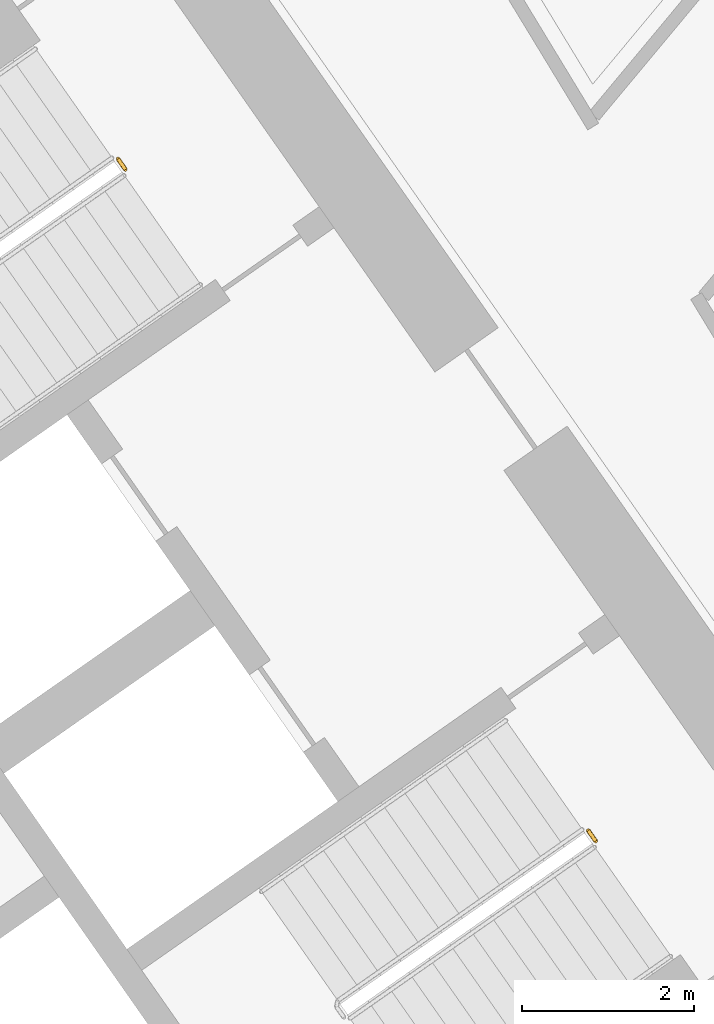
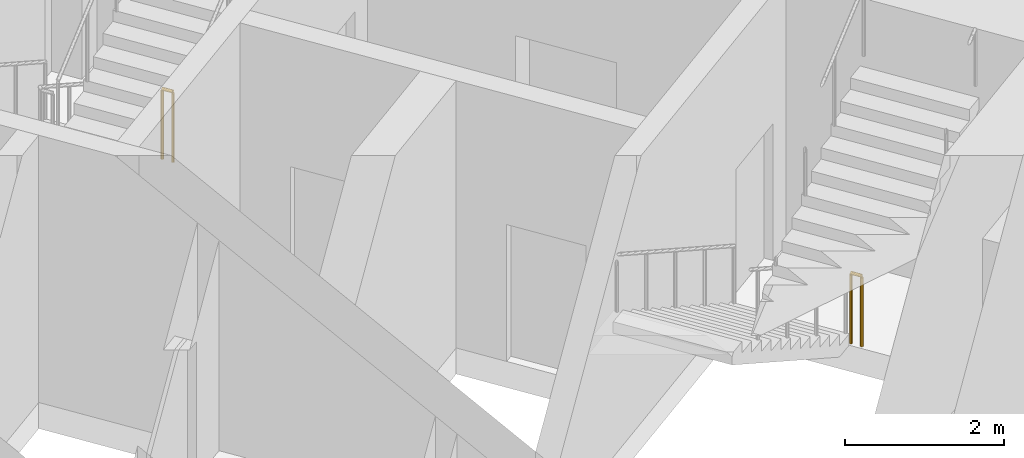
# One storey, part 19 of 20: 2 railings.
"""IFC4 building model written with IfcOpenShell, lengths in metres."""

import ifcopenshell
import ifcopenshell.guid

model = None  # the IFC model being written
_history = None  # IfcOwnerHistory: only IFC2X3 demands one
_inside = {}  # id of a spatial element -> (the spatial element, [elements in it])
_under = {}  # id of a project, library or spatial element -> (it, [spatial elements below it])
_declared = {}  # id of a project -> (the project, [libraries it declares])
_typed = {}  # id of a type object -> (the type object, [elements of that type])
_made_of = {}  # id of a material, layer set ... -> (it, [elements and type objects made of it])


def new_model(schema):
    """Start an empty IFC model of exactly this schema.

    Asked for "IFC4X3", IfcOpenShell would pick the latest addendum, in which some entities
    have other attributes; the version numbers below select the first issue.
    IFC2X3 requires an IfcOwnerHistory on every rooted entity: one is made here for all.
    """
    global model, _history
    if schema == "IFC4X3":
        model = ifcopenshell.file(schema_version=(4, 3, 0, 0))
    else:
        model = ifcopenshell.file(schema=schema)
    _inside.clear()
    _under.clear()
    _declared.clear()
    _typed.clear()
    _made_of.clear()
    _history = None
    if model.schema == "IFC2X3":
        org = make("IfcOrganization", Name="unknown")
        user = make(
            "IfcPersonAndOrganization",
            ThePerson=make("IfcPerson", FamilyName="unknown"),
            TheOrganization=org,
        )
        app = make(
            "IfcApplication",
            ApplicationDeveloper=org,
            Version="unknown",
            ApplicationFullName="unknown",
            ApplicationIdentifier="unknown",
        )
        _history = make(
            "IfcOwnerHistory",
            OwningUser=user,
            OwningApplication=app,
            ChangeAction="ADDED",
            CreationDate=0,
        )
    return model


def make(cls, **values):
    """One entity of the class cls with the attributes given. An attribute that is None is left unset."""
    return model.create_entity(
        cls, **{name: value for name, value in values.items() if value is not None}
    )


def rooted(cls, **values):
    """An entity with a GlobalId (a new one), such as an element, a storey or a relation."""
    return make(cls, GlobalId=ifcopenshell.guid.new(), OwnerHistory=_history, **values)


def si_unit(unit_type, name, prefix=None):
    """IfcSIUnit, for example si_unit("LENGTHUNIT", "METRE", prefix="MILLI")."""
    return make("IfcSIUnit", UnitType=unit_type, Prefix=prefix, Name=name)


def assignment(units):
    """IfcUnitAssignment: the units of a project."""
    return None if units is None else make("IfcUnitAssignment", Units=units)


def point(xyz):
    """IfcCartesianPoint."""
    return None if xyz is None else make("IfcCartesianPoint", Coordinates=xyz)


def direction(xyz):
    """IfcDirection."""
    return None if xyz is None else make("IfcDirection", DirectionRatios=xyz)


def frame(location, z_axis=None, x_axis=None):
    """IfcAxis2Placement3D, a coordinate frame: its origin and axes. An axis left out is left unset."""
    return make(
        "IfcAxis2Placement3D",
        Location=point(location),
        Axis=direction(z_axis),
        RefDirection=direction(x_axis),
    )


def frame_2d(location, x_axis=None):
    """IfcAxis2Placement2D, a coordinate frame in the plane: its origin and x axis."""
    return make(
        "IfcAxis2Placement2D", Location=point(location), RefDirection=direction(x_axis)
    )


def origin():
    """The frame at (0, 0, 0) with its axes left unset."""
    return frame((0.0, 0.0, 0.0))


def origin_2d():
    """The frame at (0, 0) in the plane with its x axis left unset."""
    return frame_2d((0.0, 0.0))


def place(relative_to, where):
    """IfcLocalPlacement: puts the frame where relative to a parent placement (None: the world)."""
    return make(
        "IfcLocalPlacement", PlacementRelTo=relative_to, RelativePlacement=where
    )


def context(
    kind, dimensions, precision=None, world=None, true_north=None, identifier=None
):
    """IfcGeometricRepresentationContext, for example the 3D "Model" context."""
    return make(
        "IfcGeometricRepresentationContext",
        ContextIdentifier=identifier,
        ContextType=kind,
        CoordinateSpaceDimension=dimensions,
        Precision=precision,
        WorldCoordinateSystem=world,
        TrueNorth=true_north,
    )


def subcontext(parent, identifier, kind, view, scale=None):
    """IfcGeometricRepresentationSubContext, for example "Body" below "Model"."""
    return make(
        "IfcGeometricRepresentationSubContext",
        ContextIdentifier=identifier,
        ContextType=kind,
        ParentContext=parent,
        TargetScale=scale,
        TargetView=view,
    )


def project(units=None, contexts=None):
    """IfcProject with its units and contexts."""
    return rooted(
        "IfcProject",
        Name="project",
        RepresentationContexts=contexts,
        UnitsInContext=assignment(units),
    )


def spatial(cls, under=None, at=None, **own):
    """A site, building, storey or space (cls), placed at a placement, below another one or the project."""
    s = rooted(cls, ObjectPlacement=at, **own)
    if under is not None:
        _under.setdefault(under.id(), (under, []))[1].append(s)
    return s


def profile(cls, at=None, kind="AREA", **sizes):
    """A parametric profile (cls). Its sizes go by their IFC names, for example OverallWidth=200.0."""
    return make(cls, ProfileType=kind, Position=at, **sizes)


def circle(**sizes):
    """IfcCircleProfileDef."""
    return profile("IfcCircleProfileDef", **sizes)


def extrude(swept, where, along, depth):
    """IfcExtrudedAreaSolid: the profile swept, set in the frame where, extruded along a direction by depth."""
    return make(
        "IfcExtrudedAreaSolid",
        SweptArea=swept,
        Position=where,
        ExtrudedDirection=direction(along),
        Depth=depth,
    )


def shape(context_of_items, identifier, shape_type, items):
    """IfcShapeRepresentation: the items that make up one representation, for example the "Body"."""
    return make(
        "IfcShapeRepresentation",
        ContextOfItems=context_of_items,
        RepresentationIdentifier=identifier,
        RepresentationType=shape_type,
        Items=items,
    )


def material(Name=None, Category=None):
    """IfcMaterial."""
    return make("IfcMaterial", Name=Name, Category=Category)


def made_of(thing, what):
    """Note that an element or type object is made of a material, layer set ...; save() writes the relation."""
    if what is not None:
        _made_of.setdefault(what.id(), (what, []))[1].append(thing)
    return thing


def type_object(cls, material=None, **own):
    """A type object (cls), such as IfcWallType, which elements share."""
    return made_of(rooted(cls, **own), material)


def element(
    cls,
    number,
    at=None,
    inside=None,
    cuts=None,
    type_object=None,
    material=None,
    context=None,
    identifier="Body",
    shape_type=None,
    held_by="IfcProductDefinitionShape",
    body=None,
    shapes=None,
    **own,
):
    """One element of the class cls, such as IfcWall. Its Tag is "e" and its number.

    at: its placement. inside: the storey or other place that contains it. cuts: it is an
    opening in that element (IfcRelVoidsElement). A single representation is given by context,
    identifier, shape_type and body (its items); several are given by shapes. held_by: the class
    of the entity that holds the representations. save() writes the other relations.
    """
    e = rooted(cls, Tag="e%d" % number, ObjectPlacement=at, **own)
    if body is not None:
        shapes = [shape(context, identifier, shape_type, body)]
    if shapes is not None:
        e.Representation = make(held_by, Representations=shapes)
    if inside is not None:
        _inside.setdefault(inside.id(), (inside, []))[1].append(e)
    if cuts is not None:
        rooted(
            "IfcRelVoidsElement", RelatingBuildingElement=cuts, RelatedOpeningElement=e
        )
    if type_object is not None:
        _typed.setdefault(type_object.id(), (type_object, []))[1].append(e)
    return made_of(e, material)


def aggregate(whole, parts):
    """IfcRelAggregates: a whole, such as a stair, and the parts it consists of."""
    return rooted("IfcRelAggregates", RelatingObject=whole, RelatedObjects=parts)


def save(model, path):
    """Write the relations noted so far, then the file.

    IfcRelAggregates (storeys below a building ...), IfcRelContainedInSpatialStructure (elements
    in a storey), IfcRelDefinesByType, IfcRelAssociatesMaterial and IfcRelDeclares: one each for
    every whole, place, type object, material and project.
    """
    for whole, parts in _under.values():
        aggregate(whole, parts)
    for where, things in _inside.values():
        rooted(
            "IfcRelContainedInSpatialStructure",
            RelatedElements=things,
            RelatingStructure=where,
        )
    for kind, things in _typed.values():
        rooted("IfcRelDefinesByType", RelatedObjects=things, RelatingType=kind)
    for what, things in _made_of.values():
        rooted("IfcRelAssociatesMaterial", RelatedObjects=things, RelatingMaterial=what)
    for by, libraries in _declared.values():
        rooted("IfcRelDeclares", RelatingContext=by, RelatedDefinitions=libraries)
    model.write(path)


model = new_model("IFC4")

# Units and contexts
model_context = context("Model", 3, precision=1e-05, world=origin(), true_north=direction((0.0, 1.0)))
body_context = subcontext(model_context, "Body", "Model", "MODEL_VIEW")
ifc_project = project(units=[si_unit("LENGTHUNIT", "METRE"), si_unit("AREAUNIT", "SQUARE_METRE"), si_unit("VOLUMEUNIT", "CUBIC_METRE"), si_unit("PLANEANGLEUNIT", "RADIAN"), si_unit("MASSUNIT", "GRAM", prefix="KILO")], contexts=[model_context])

# Site, building, storey
site_placement = place(None, origin())
site = spatial("IfcSite", under=ifc_project, at=site_placement, CompositionType="ELEMENT")
building_placement = place(site_placement, origin())
building = spatial("IfcBuilding", under=site, at=building_placement, Name="Qamariyya Broadcast Tower", CompositionType="ELEMENT")
storey_placement = place(building_placement, frame((0.0, 0.0, 27.0)))
storey = spatial("IfcBuildingStorey", under=building, at=storey_placement, Name="L03", CompositionType="ELEMENT", Elevation=27.0)

# Railings
ifc_material = material(Name="Painted steel", Category="steel")
railing_type = type_object("IfcRailingType", Name="Stair guard", PredefinedType="GUARDRAIL", material=ifc_material)
railing_1_placement = place(storey_placement, frame((41.072998046875, -48.332275390625, 0.0)))
element("IfcRailing", 1, at=railing_1_placement, inside=storey, type_object=railing_type, Name="L03 ST-E2 stair guard 3", PredefinedType="GUARDRAIL", context=body_context, shape_type="SweptSolid", body=[
    extrude(circle(Radius=0.02392578125, at=origin_2d()), frame((0.0, 0.0, 1.076171875), z_axis=(0.572588637393, -0.819842821722, 0.0), x_axis=(0.819842821722, 0.572588637393, 0.0)), (0.0, 0.0, 1.0), 0.150146484375),
    extrude(circle(Radius=0.02099609375, at=origin_2d()), origin(), (0.0, 0.0, 1.0), 1.052001953125),
    extrude(circle(Radius=0.02099609375, at=origin_2d()), frame((0.0859375, -0.123046875, 0.0)), (0.0, 0.0, 1.0), 1.052001953125),
])
railing_2_placement = place(storey_placement, frame((46.550537109375, -56.1552734375, 0.0)))
element("IfcRailing", 2, at=railing_2_placement, inside=storey, type_object=railing_type, Name="L03 ST-E1 stair guard 3", PredefinedType="GUARDRAIL", context=body_context, shape_type="SweptSolid", body=[
    extrude(circle(Radius=0.02392578125, at=origin_2d()), frame((0.0, 0.0, 1.076171875), z_axis=(0.574444878118, -0.818543268254, 0.0), x_axis=(0.818543268254, 0.574444878118, 0.0)), (0.0, 0.0, 1.0), 0.150146484375),
    extrude(circle(Radius=0.02099609375, at=origin_2d()), origin(), (0.0, 0.0, 1.0), 1.052001953125),
    extrude(circle(Radius=0.02099609375, at=origin_2d()), frame((0.086181640625, -0.122802734375, 0.0)), (0.0, 0.0, 1.0), 1.052001953125),
])

save(model, "model.ifc")
